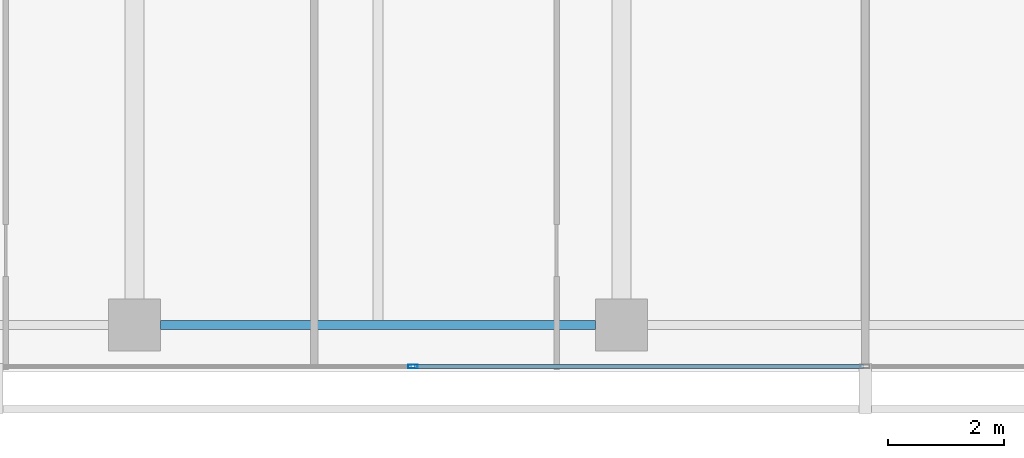
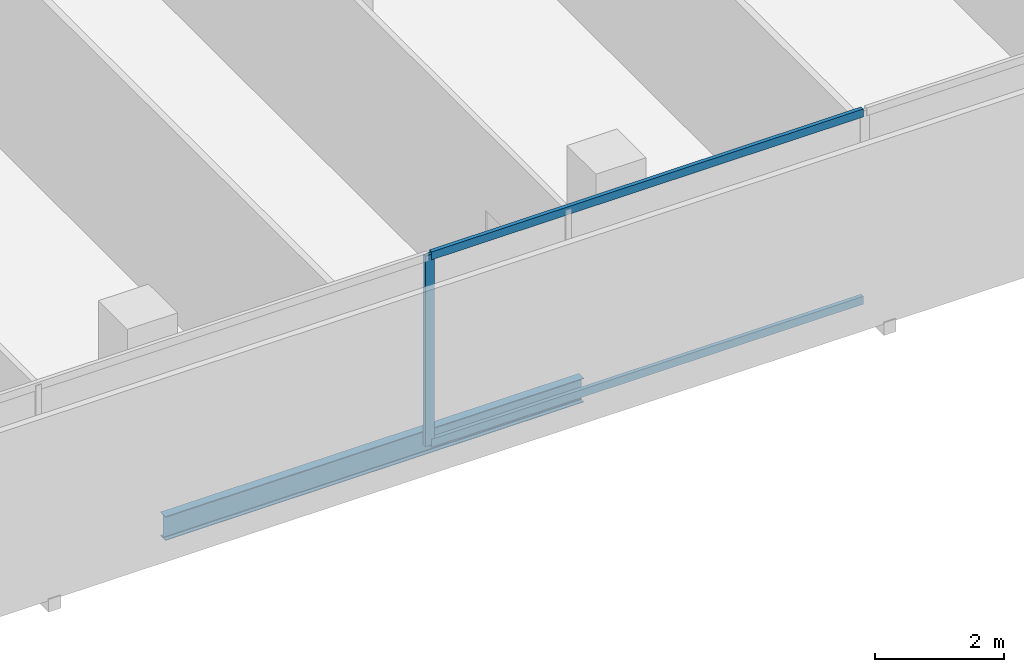
# One storey, part 7 of 40: 3 members, 1 beam, 1 element without a shape of its own.
"""IFC4 building model written with IfcOpenShell, lengths in metres."""

from ifc_helpers import new_model, si_unit, direction, frame, origin, origin_2d, place, context, subcontext, project, spatial, hollow_rectangle, i_section, extrude, material, layer, layer_set, material_profile, profile_set, type_object, element, aggregate, save


model = new_model("IFC4")

# Units and contexts
model_context = context("Model", 3, precision=1e-05, world=origin(), true_north=direction((0.0, 1.0)))
body_context = subcontext(model_context, "Body", "Model", "MODEL_VIEW")
ifc_project = project(units=[si_unit("LENGTHUNIT", "METRE"), si_unit("AREAUNIT", "SQUARE_METRE"), si_unit("VOLUMEUNIT", "CUBIC_METRE"), si_unit("PLANEANGLEUNIT", "RADIAN"), si_unit("MASSUNIT", "GRAM", prefix="KILO")], contexts=[model_context])

# Site, building, storey
site_placement = place(None, origin())
site = spatial("IfcSite", under=ifc_project, at=site_placement, CompositionType="ELEMENT")
building_placement = place(site_placement, origin())
building = spatial("IfcBuilding", under=site, at=building_placement, Name="Maruvema Waterfront Hotel and Observation Tower", CompositionType="ELEMENT")
storey_placement = place(building_placement, frame((0.0, 0.0, 100.10009765625)))
storey = spatial("IfcBuildingStorey", under=building, at=storey_placement, Name="L24", CompositionType="ELEMENT", Elevation=100.10009765625)

# Curtain wall, members
ifc_material_1 = material(Name="Anodised bronze aluminium and solar-control low-E IGU", Category="aluminium")
ifc_layer = layer(ifc_material_1, 0.159912109375, Name="Zone 1 Bronze Inner Thermal Curtain Wall System CW-02")
ifc_layer_set = layer_set([ifc_layer], Name="Anodised bronze aluminium and solar-control low-E IGU")
curtain_wall_type = type_object("IfcCurtainWallType", Name="Zone 1 Bronze Inner Thermal Curtain Wall System CW-02", PredefinedType="USERDEFINED", material=ifc_layer_set)
curtain_wall_placement = place(storey_placement, origin())
curtain_wall = element("IfcCurtainWall", 1, at=curtain_wall_placement, inside=storey, type_object=curtain_wall_type, Name="L24 Curtain Wall CW-L24-S", ObjectType="UNITISED CURTAIN WALL", PredefinedType="USERDEFINED")
ifc_material_2 = material(Name="Anodised architectural bronze aluminium", Category="aluminium")
ifc_material_profile_1 = material_profile(ifc_material_2, hollow_rectangle(XDim=0.070068359375, YDim=0.14990234375, WallThickness=0.00390625, at=origin_2d()), Name="ALU-T70x150")
ifc_profile_set_1 = profile_set([ifc_material_profile_1], Name="Anodised architectural bronze aluminium")
member_type_1 = type_object("IfcMemberType", Name="Curtain Wall Horizontal Transom ALU-T70x150", PredefinedType="USERDEFINED", material=ifc_profile_set_1)
member_1_placement = place(storey_placement, frame((30.030029296875, 0.080078125, 0.02978515625), z_axis=(1.0, 0.0, 0.0), x_axis=(0.0, 1.0, 0.0)))
member_1 = element("IfcMember", 2, at=member_1_placement, type_object=member_type_1, Name="CW-02 transom 3.1", ObjectType="TRANSOM", PredefinedType="USERDEFINED", context=body_context, shape_type="SweptSolid", body=[
    extrude(hollow_rectangle(XDim=0.070068359375, YDim=0.14990234375, WallThickness=0.00390625, at=origin_2d()), origin(), (0.0, 0.0, 1.0), 7.739990234375),
])
member_2_placement = place(storey_placement, frame((30.030029296875, 0.080078125, 3.579833984375), z_axis=(1.0, 0.0, 0.0), x_axis=(0.0, 1.0, 0.0)))
member_2 = element("IfcMember", 3, at=member_2_placement, type_object=member_type_1, Name="CW-02 transom 3.2", ObjectType="TRANSOM", PredefinedType="USERDEFINED", context=body_context, shape_type="SweptSolid", body=[
    extrude(hollow_rectangle(XDim=0.070068359375, YDim=0.14990234375, WallThickness=0.00390625, at=origin_2d()), origin(), (0.0, 0.0, 1.0), 7.739990234375),
])
ifc_material_3 = material(Name="Anodised architectural bronze aluminium", Category="aluminium")
ifc_material_profile_2 = material_profile(ifc_material_3, hollow_rectangle(XDim=0.06494140625, YDim=0.1650390625, WallThickness=0.00390625, at=origin_2d()), Name="ALU-M65x165")
ifc_profile_set_2 = profile_set([ifc_material_profile_2], Name="Anodised architectural bronze aluminium")
member_type_2 = type_object("IfcMemberType", Name="Curtain Wall Primary Mullion ALU-M65x165", PredefinedType="MULLION", material=ifc_profile_set_2)
member_3_placement = place(storey_placement, frame((30.0, 0.080078125, 0.0), z_axis=(0.0, 0.0, 1.0), x_axis=(0.0, 1.0, 0.0)))
member_3 = element("IfcMember", 4, at=member_3_placement, type_object=member_type_2, Name="CW-02 mullion 3", PredefinedType="MULLION", context=body_context, shape_type="SweptSolid", body=[
    extrude(hollow_rectangle(XDim=0.06494140625, YDim=0.1650390625, WallThickness=0.00390625, at=origin_2d()), origin(), (0.0, 0.0, 1.0), 3.60986328125),
])
aggregate(curtain_wall, [member_3, member_1, member_2])

# Beam
ifc_material_4 = material(Name="Steel ASTM A572 Grade 50", Category="steel")
ifc_material_profile_3 = material_profile(ifc_material_4, i_section(OverallWidth=0.153076171875, OverallDepth=0.455078125, WebThickness=0.008056640625, FlangeThickness=0.01318359375, FilletRadius=0.014892578125, at=origin_2d()), Name="W460x60.0")
ifc_profile_set_3 = profile_set([ifc_material_profile_3], Name="Steel ASTM A572 Grade 50")
beam_type = type_object("IfcBeamType", Name="Perimeter Spandrel Beam W460x60.0", PredefinedType="SPANDREL", material=ifc_profile_set_3)
beam_placement = place(storey_placement, frame((25.64990234375, 0.800048828125, -0.467529296875), z_axis=(1.0, 0.0, 0.0), x_axis=(0.0, 1.0, 0.0)))
element("IfcBeam", 5, at=beam_placement, inside=storey, type_object=beam_type, Name="L24 Floor Girder EW-02", PredefinedType="SPANDREL", context=body_context, shape_type="SweptSolid", body=[
    extrude(i_section(OverallWidth=0.153076171875, OverallDepth=0.455078125, WebThickness=0.008056640625, FlangeThickness=0.01318359375, FilletRadius=0.014892578125, at=origin_2d()), origin(), (0.0, 0.0, 1.0), 7.5),
])

save(model, "model.ifc")
